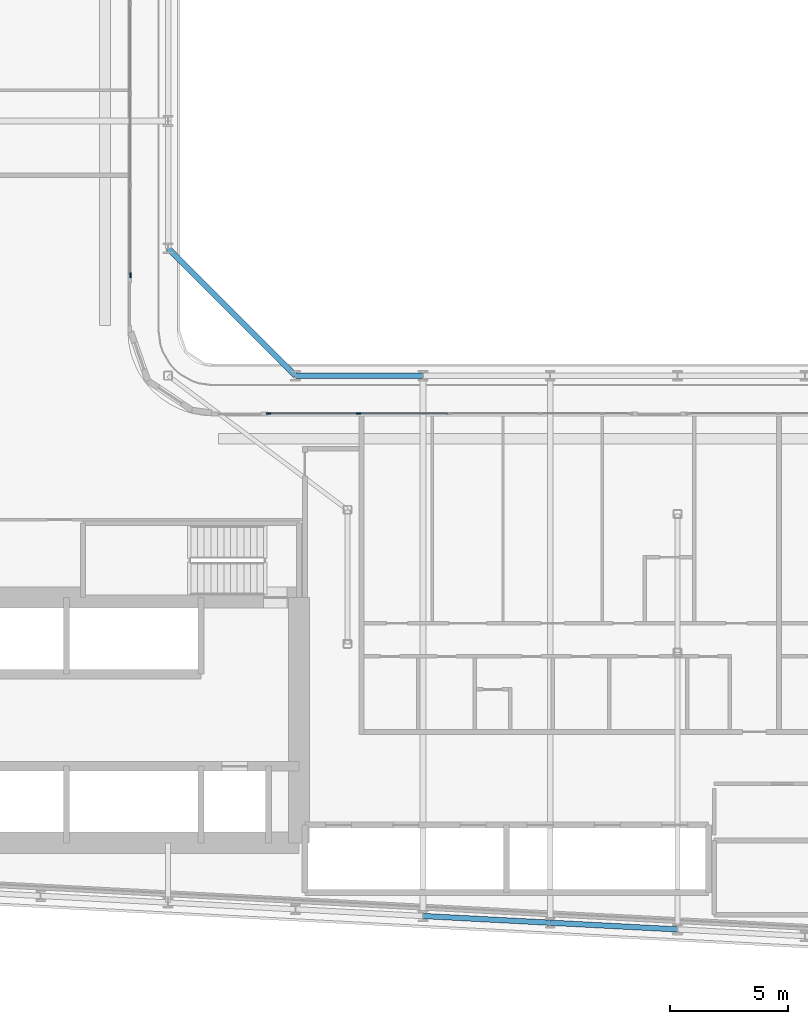
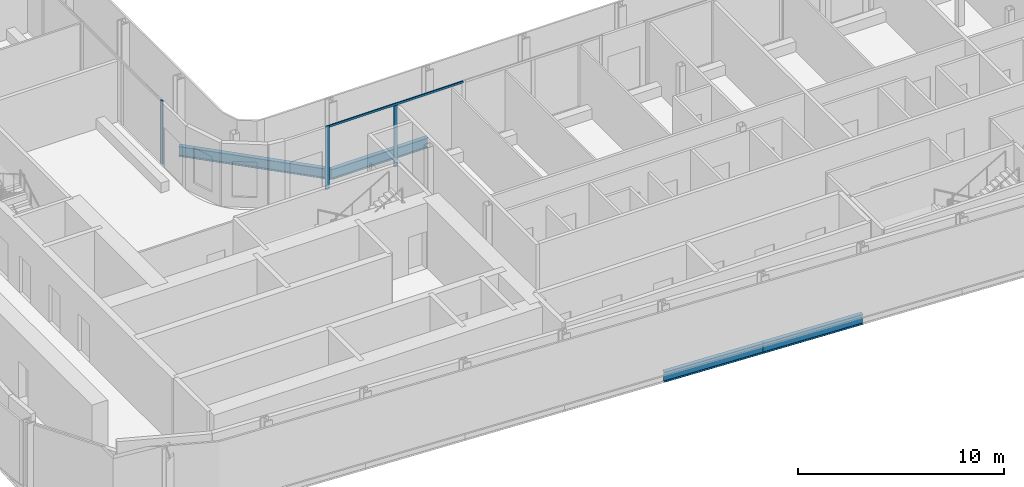
# One storey, part 4 of 28: 4 beams, 4 members, 2 elements without a shape of their own.
"""IFC4 building model written with IfcOpenShell, lengths in metres."""

from ifc_helpers import new_model, si_unit, direction, frame, origin, origin_2d, place, context, subcontext, project, spatial, rectangle, i_section, extrude, material, layer, layer_set, material_profile, profile_set, type_object, element, aggregate, save


model = new_model("IFC4")

# Units and contexts
model_context = context("Model", 3, precision=1e-05, world=origin(), true_north=direction((0.0, 1.0)))
body_context = subcontext(model_context, "Body", "Model", "MODEL_VIEW")
ifc_project = project(units=[si_unit("LENGTHUNIT", "METRE"), si_unit("AREAUNIT", "SQUARE_METRE"), si_unit("VOLUMEUNIT", "CUBIC_METRE"), si_unit("PLANEANGLEUNIT", "RADIAN"), si_unit("MASSUNIT", "GRAM", prefix="KILO")], contexts=[model_context])

# Site, building, storey
site_placement = place(None, origin())
site = spatial("IfcSite", under=ifc_project, at=site_placement, CompositionType="ELEMENT")
building_placement = place(site_placement, origin())
building = spatial("IfcBuilding", under=site, at=building_placement, Name="Kheshtan School and Residences Tower", CompositionType="ELEMENT")
storey_placement = place(building_placement, frame((0.0, 0.0, 140.89990234375)))
storey = spatial("IfcBuildingStorey", under=building, at=storey_placement, Name="L33", CompositionType="ELEMENT", Elevation=140.89990234375)

# Beams
ifc_material_1 = material(Name="Steel ASTM A992 Grade 50", Category="steel")
ifc_material_profile_1 = material_profile(ifc_material_1, i_section(OverallWidth=0.22802734375, OverallDepth=0.60302734375, WebThickness=0.010498046875, FlangeThickness=0.014892578125, FilletRadius=0.013427734375, at=origin_2d()), Name="W610x101")
ifc_profile_set_1 = profile_set([ifc_material_profile_1], Name="Steel ASTM A992 Grade 50")
beam_type = type_object("IfcBeamType", Name="Beam SP2 W610x101 ASTM A992 Grade 50", PredefinedType="BEAM", material=ifc_profile_set_1)
beam_1_placement = place(storey_placement, frame((47.60009765625, 51.0, -0.451416015625), z_axis=(0.707106781187, -0.707106781187, 0.0), x_axis=(0.707106781187, 0.707106781187, 0.0)))
element("IfcBeam", 1, at=beam_1_placement, inside=storey, type_object=beam_type, Name="Spandrel beam C079-C061", PredefinedType="BEAM", context=body_context, shape_type="SweptSolid", body=[
    extrude(i_section(OverallWidth=0.22802734375, OverallDepth=0.60302734375, WebThickness=0.010498046875, FlangeThickness=0.014892578125, FilletRadius=0.013427734375, at=origin_2d()), origin(), (0.0, 0.0, 1.0), 7.63671875),
])
beam_2_placement = place(storey_placement, frame((53.0, 45.60009765625, -0.451416015625), z_axis=(1.0, 0.0, 0.0), x_axis=(0.0, 1.0, 0.0)))
element("IfcBeam", 2, at=beam_2_placement, inside=storey, type_object=beam_type, Name="Spandrel beam C061-C062", PredefinedType="BEAM", context=body_context, shape_type="SweptSolid", body=[
    extrude(i_section(OverallWidth=0.22802734375, OverallDepth=0.60302734375, WebThickness=0.010498046875, FlangeThickness=0.014892578125, FilletRadius=0.013427734375, at=origin_2d()), origin(), (0.0, 0.0, 1.0), 5.39990234375),
])
beam_3_placement = place(storey_placement, frame((69.199951171875, 22.126953125, -0.451416015625), z_axis=(-0.998620447272, 0.05250906864, 0.0), x_axis=(-0.05250906864, -0.998620447272, 0.0)))
element("IfcBeam", 3, at=beam_3_placement, inside=storey, type_object=beam_type, Name="Spandrel beam C014-C016", PredefinedType="BEAM", context=body_context, shape_type="SweptSolid", body=[
    extrude(i_section(OverallWidth=0.22802734375, OverallDepth=0.60302734375, WebThickness=0.010498046875, FlangeThickness=0.014892578125, FilletRadius=0.013427734375, at=origin_2d()), origin(), (0.0, 0.0, 1.0), 5.407470703125),
])
beam_4_placement = place(storey_placement, frame((63.800048828125, 22.410888671875, -0.451416015625), z_axis=(-0.998618203458, 0.052551724256, 0.0), x_axis=(-0.052551724256, -0.998618203458, 0.0)))
element("IfcBeam", 4, at=beam_4_placement, inside=storey, type_object=beam_type, Name="Spandrel beam C016-C018", PredefinedType="BEAM", context=body_context, shape_type="SweptSolid", body=[
    extrude(i_section(OverallWidth=0.22802734375, OverallDepth=0.60302734375, WebThickness=0.010498046875, FlangeThickness=0.014892578125, FilletRadius=0.013427734375, at=origin_2d()), origin(), (0.0, 0.0, 1.0), 5.40771484375),
])

# Curtain wall, member
ifc_material_2 = material(Name="Clear low-e glass in thermally broken aluminium frame", Category="aluminium")
ifc_layer = layer(ifc_material_2, 0.199951171875)
ifc_layer_set = layer_set([ifc_layer], Name="Curtain wall CW-L")
curtain_wall_type = type_object("IfcCurtainWallType", Name="Curtain wall CW-L", PredefinedType="NOTDEFINED", material=ifc_layer_set)
curtain_wall_1_placement = place(storey_placement, origin())
curtain_wall_1 = element("IfcCurtainWall", 5, at=curtain_wall_1_placement, inside=storey, type_object=curtain_wall_type, Name="Curtain wall CWL8", PredefinedType="NOTDEFINED")
ifc_material_3 = material(Name="Thermally broken aluminium, dark bronze anodised", Category="aluminium")
ifc_material_profile_2 = material_profile(ifc_material_3, rectangle(XDim=0.06005859375, YDim=0.199951171875, at=origin_2d()), Name="CW-L mullion 60x200")
ifc_profile_set_2 = profile_set([ifc_material_profile_2], Name="Thermally broken aluminium, dark bronze anodised")
member_type_1 = type_object("IfcMemberType", Name="CW-L mullion 60x200", PredefinedType="MULLION", material=ifc_profile_set_2)
member_1_placement = place(storey_placement, frame((46.0, 49.860107421875, 0.0), z_axis=(0.0, 0.0, 1.0), x_axis=(1.0, 0.0, 0.0)))
member_1 = element("IfcMember", 6, at=member_1_placement, type_object=member_type_1, Name="CWL8 mullion 3", PredefinedType="MULLION", context=body_context, shape_type="SweptSolid", body=[
    extrude(rectangle(XDim=0.06005859375, YDim=0.199951171875, at=origin_2d()), origin(), (0.0, 0.0, 1.0), 3.75),
])
aggregate(curtain_wall_1, [member_1])

# Curtain wall, members
curtain_wall_2_placement = place(storey_placement, origin())
curtain_wall_2 = element("IfcCurtainWall", 7, at=curtain_wall_2_placement, inside=storey, type_object=curtain_wall_type, Name="Curtain wall CWL12j", PredefinedType="NOTDEFINED")
member_2_placement = place(storey_placement, frame((51.860107421875, 44.0, 0.0), z_axis=(0.0, 0.0, 1.0), x_axis=(0.0, 1.0, 0.0)))
member_2 = element("IfcMember", 8, at=member_2_placement, type_object=member_type_1, Name="CWL12j mullion 1", PredefinedType="MULLION", context=body_context, shape_type="SweptSolid", body=[
    extrude(rectangle(XDim=0.06005859375, YDim=0.199951171875, at=origin_2d()), origin(), (0.0, 0.0, 1.0), 3.75),
])
member_3_placement = place(storey_placement, frame((55.677001953125, 44.0, 0.0), z_axis=(0.0, 0.0, 1.0), x_axis=(0.0, 1.0, 0.0)))
member_3 = element("IfcMember", 9, at=member_3_placement, type_object=member_type_1, Name="CWL12j mullion 2", PredefinedType="MULLION", context=body_context, shape_type="SweptSolid", body=[
    extrude(rectangle(XDim=0.06005859375, YDim=0.199951171875, at=origin_2d()), origin(), (0.0, 0.0, 1.0), 3.630126953125),
])
ifc_material_profile_3 = material_profile(ifc_material_3, rectangle(XDim=0.06005859375, YDim=0.1201171875, at=origin_2d()), Name="CW-L transom 60x120")
ifc_profile_set_3 = profile_set([ifc_material_profile_3], Name="Thermally broken aluminium, dark bronze anodised")
member_type_2 = type_object("IfcMemberType", Name="CW-L transom 60x120", PredefinedType="USERDEFINED", material=ifc_profile_set_3)
member_4_placement = place(storey_placement, frame((51.889892578125, 44.0, 3.690185546875), z_axis=(1.0, 0.0, 0.0), x_axis=(0.0, 1.0, 0.0)))
member_4 = element("IfcMember", 10, at=member_4_placement, type_object=member_type_2, Name="CWL12j transom 1", ObjectType="TRANSOM", PredefinedType="USERDEFINED", context=body_context, shape_type="SweptSolid", body=[
    extrude(rectangle(XDim=0.06005859375, YDim=0.1201171875, at=origin_2d()), origin(), (0.0, 0.0, 1.0), 7.57421875),
])
aggregate(curtain_wall_2, [member_2, member_3, member_4])

save(model, "model.ifc")
